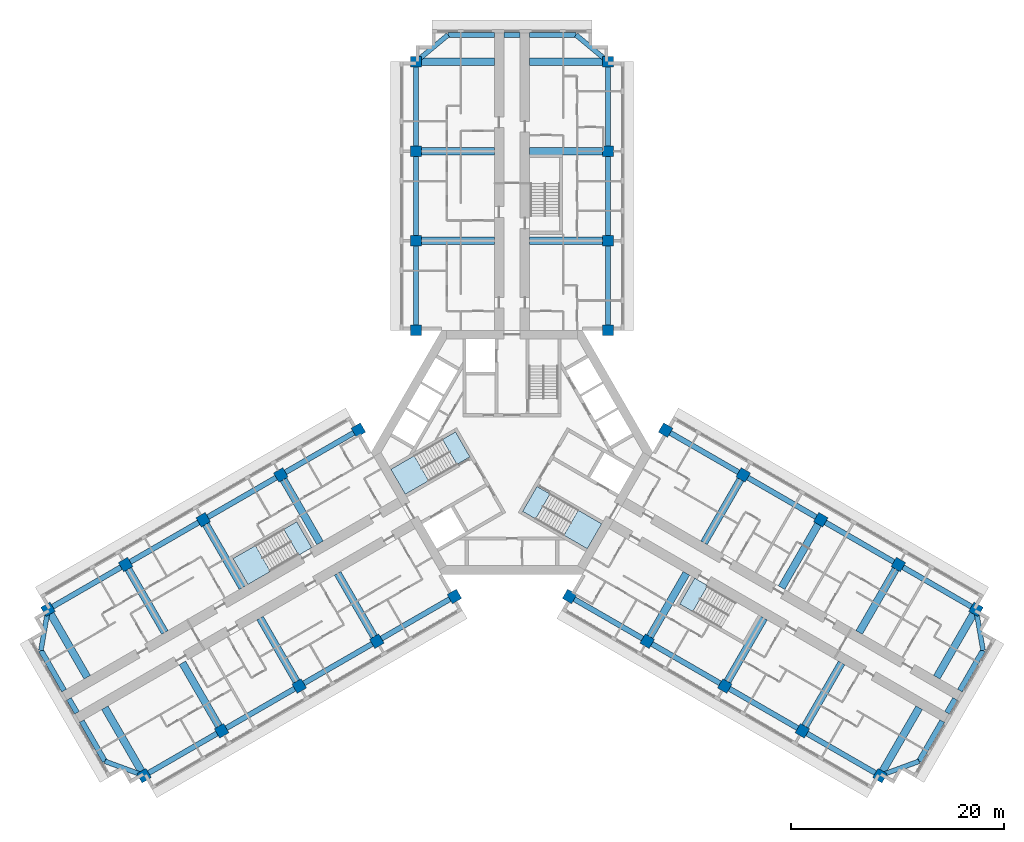
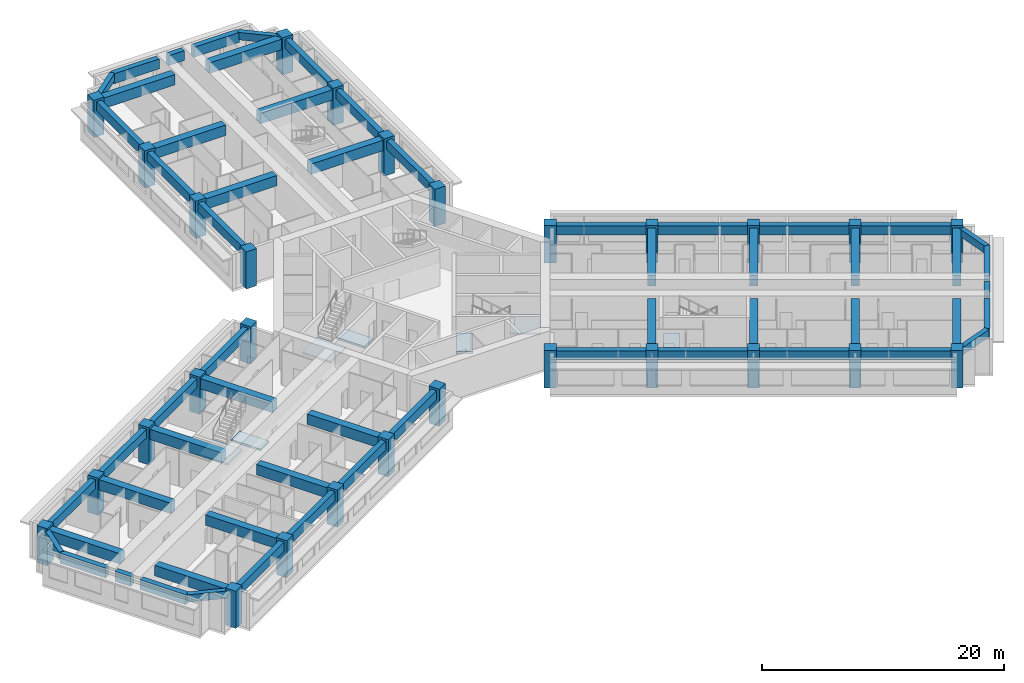
# One storey, part 1 of 14: 59 beams, 28 columns, 7 slabs, 4 elements without a shape of their own.
"""IFC4 building model written with IfcOpenShell, lengths in metres."""

from ifc_helpers import new_model, si_unit, direction, frame, origin, origin_2d, place, context, subcontext, project, spatial, polyline, rectangle, outline, extrude, material, layer, layer_set, material_profile, profile_set, type_object, element, aggregate, save


model = new_model("IFC4")

# Units and contexts
model_context = context("Model", 3, precision=1e-05, world=origin(), true_north=direction((0.0, 1.0)))
body_context = subcontext(model_context, "Body", "Model", "MODEL_VIEW")
ifc_project = project(units=[si_unit("LENGTHUNIT", "METRE"), si_unit("AREAUNIT", "SQUARE_METRE"), si_unit("VOLUMEUNIT", "CUBIC_METRE"), si_unit("PLANEANGLEUNIT", "RADIAN"), si_unit("MASSUNIT", "GRAM", prefix="KILO")], contexts=[model_context])

# Site, building, storey
site_placement = place(None, origin())
site = spatial("IfcSite", under=ifc_project, at=site_placement, CompositionType="ELEMENT")
building_placement = place(site_placement, origin())
building = spatial("IfcBuilding", under=site, at=building_placement, Name="Impinga Residences", CompositionType="ELEMENT")
storey_placement = place(building_placement, frame((0.0, 0.0, 121.0)))
storey = spatial("IfcBuildingStorey", under=building, at=storey_placement, Name="L29", CompositionType="ELEMENT", Elevation=121.0)

# Columns
ifc_material_1 = material(Name="Concrete C60/75", Category="concrete")
ifc_material_profile_1 = material_profile(ifc_material_1, rectangle(XDim=1.0, YDim=1.0, at=origin_2d()), Name="RC 1000x1000")
ifc_profile_set_1 = profile_set([ifc_material_profile_1], Name="Concrete C60/75")
column_type = type_object("IfcColumnType", Name="C3 1000x1000 column", PredefinedType="COLUMN", material=ifc_profile_set_1)
for number, where, z_axis, x_axis, name in (
    (1, (-9.0, 11.431640625, 0.0), (0.0, 0.0, 1.0), (1.0, 0.0, 0.0), "Column C3 N1/NA L29"),
    (2, (9.0, 11.431640625, 0.0), (0.0, 0.0, 1.0), (1.0, 0.0, 0.0), "Column C3 N1/NF L29"),
    (3, (-9.0, 19.83154296875, 0.0), (0.0, 0.0, 1.0), (1.0, 0.0, 0.0), "Column C3 N2/NA L29"),
    (4, (9.0, 19.83154296875, 0.0), (0.0, 0.0, 1.0), (1.0, 0.0, 0.0), "Column C3 N2/NF L29"),
    (5, (-9.0, 28.2314453125, 0.0), (0.0, 0.0, 1.0), (1.0, 0.0, 0.0), "Column C3 N3/NA L29"),
    (6, (9.0, 28.2314453125, 0.0), (0.0, 0.0, 1.0), (1.0, 0.0, 0.0), "Column C3 N3/NF L29"),
    (7, (-9.0, 36.631591796875, 0.0), (0.0, 0.0, 1.0), (1.0, 0.0, 0.0), "Column C3 N4/NA L29"),
    (8, (9.0, 36.631591796875, 0.0), (0.0, 0.0, 1.0), (1.0, 0.0, 0.0), "Column C3 N4/NF L29"),
    (9, (-5.39990234375, -13.510009765625, 0.0), (0.0, 0.0, 1.0), (-0.5, 0.866025403784, 0.0), "Column C3 W1/WA L29"),
    (10, (-14.39990234375, 2.078369140625, 0.0), (0.0, 0.0, 1.0), (-0.5, 0.866025403784, 0.0), "Column C3 W1/WF L29"),
    (11, (-12.674560546875, -17.7099609375, 0.0), (0.0, 0.0, 1.0), (-0.5, 0.866025403784, 0.0), "Column C3 W2/WA L29"),
    (12, (-21.674560546875, -2.12158203125, 0.0), (0.0, 0.0, 1.0), (-0.5, 0.866025403784, 0.0), "Column C3 W2/WF L29"),
    (13, (-19.94921875, -21.909912109375, 0.0), (0.0, 0.0, 1.0), (-0.5, 0.866025403784, 0.0), "Column C3 W3/WA L29"),
    (14, (-28.94921875, -6.321533203125, 0.0), (0.0, 0.0, 1.0), (-0.5, 0.866025403784, 0.0), "Column C3 W3/WF L29"),
    (15, (-27.223876953125, -26.110107421875, 0.0), (0.0, 0.0, 1.0), (-0.5, 0.866025403784, 0.0), "Column C3 W4/WA L29"),
    (16, (-36.223876953125, -10.521484375, 0.0), (0.0, 0.0, 1.0), (-0.5, 0.866025403784, 0.0), "Column C3 W4/WF L29"),
    (17, (-34.49853515625, -30.31005859375, 0.0), (0.0, 0.0, 1.0), (-0.5, 0.866025403784, 0.0), "Column C3 W5/WA L29"),
    (18, (-43.49853515625, -14.721435546875, 0.0), (0.0, 0.0, 1.0), (-0.5, 0.866025403784, 0.0), "Column C3 W5/WF L29"),
    (19, (14.39990234375, 2.078369140625, 0.0), (0.0, 0.0, 1.0), (-0.5, -0.866025403784, 0.0), "Column C3 E1/EA L29"),
    (20, (5.39990234375, -13.510009765625, 0.0), (0.0, 0.0, 1.0), (-0.5, -0.866025403784, 0.0), "Column C3 E1/EF L29"),
    (21, (21.674560546875, -2.12158203125, 0.0), (0.0, 0.0, 1.0), (-0.5, -0.866025403784, 0.0), "Column C3 E2/EA L29"),
    (22, (12.674560546875, -17.7099609375, 0.0), (0.0, 0.0, 1.0), (-0.5, -0.866025403784, 0.0), "Column C3 E2/EF L29"),
    (23, (28.94921875, -6.321533203125, 0.0), (0.0, 0.0, 1.0), (-0.5, -0.866025403784, 0.0), "Column C3 E3/EA L29"),
    (24, (19.94921875, -21.909912109375, 0.0), (0.0, 0.0, 1.0), (-0.5, -0.866025403784, 0.0), "Column C3 E3/EF L29"),
    (25, (36.223876953125, -10.521484375, 0.0), (0.0, 0.0, 1.0), (-0.5, -0.866025403784, 0.0), "Column C3 E4/EA L29"),
    (26, (27.223876953125, -26.110107421875, 0.0), (0.0, 0.0, 1.0), (-0.5, -0.866025403784, 0.0), "Column C3 E4/EF L29"),
    (27, (43.49853515625, -14.721435546875, 0.0), (0.0, 0.0, 1.0), (-0.5, -0.866025403784, 0.0), "Column C3 E5/EA L29"),
    (28, (34.49853515625, -30.31005859375, 0.0), (0.0, 0.0, 1.0), (-0.5, -0.866025403784, 0.0), "Column C3 E5/EF L29"),
):
    element("IfcColumn", number, at=place(storey_placement, frame(where, z_axis=z_axis, x_axis=x_axis)), inside=storey, type_object=column_type, Name=name, PredefinedType="COLUMN", context=body_context, shape_type="SweptSolid", body=[
        extrude(rectangle(XDim=1.0, YDim=1.0, at=origin_2d()), origin(), (0.0, 0.0, 1.0), 3.75),
    ])

# Beams
ifc_material_profile_2 = material_profile(ifc_material_1, rectangle(XDim=0.449951171875, YDim=0.75, at=origin_2d()), Name="RC 450x750")
ifc_profile_set_2 = profile_set([ifc_material_profile_2], Name="Concrete C60/75")
beam_type_1 = type_object("IfcBeamType", Name="CB1 450x750 wing end cantilever beam", PredefinedType="BEAM", material=ifc_profile_set_2)
for number, where, z_axis, x_axis, name in (
    (29, (-9.0, 36.631591796875, 3.155029296875), (0.768221279597, 0.640184399664, 0.0), (-0.640184399664, 0.768221279597, 0.0), "Beam CB1 NB N4-NX level L30"),
    (30, (9.0, 36.631591796875, 3.155029296875), (-0.768221279597, 0.640184399664, 0.0), (-0.640184399664, -0.768221279597, 0.0), "Beam CB1 NE N4-NX level L30"),
    (31, (-34.49853515625, -30.31005859375, 3.155029296875), (-0.938520178725, 0.345224382289, 0.0), (-0.345224382289, -0.938520178725, 0.0), "Beam CB1 WB W5-WX level L30"),
):
    element("IfcBeam", number, at=place(storey_placement, frame(where, z_axis=z_axis, x_axis=x_axis)), inside=storey, type_object=beam_type_1, Name=name, PredefinedType="BEAM", context=body_context, shape_type="SweptSolid", body=[
        extrude(rectangle(XDim=0.449951171875, YDim=0.75, at=origin_2d()), origin(), (0.0, 0.0, 1.0), 3.905029296875),
    ])
for number, where, z_axis, x_axis, name in (
    (32, (-43.49853515625, -14.721435546875, 3.155029296875), (-0.170296298948, -0.985392901621, 0.0), (0.985392901621, -0.170296298948, 0.0), "Beam CB1 WE W5-WX level L30"),
    (33, (43.49853515625, -14.721435546875, 3.155029296875), (0.170296298948, -0.985392901621, 0.0), (0.985392901621, 0.170296298948, 0.0), "Beam CB1 EB E5-EX level L30"),
):
    element("IfcBeam", number, at=place(storey_placement, frame(where, z_axis=z_axis, x_axis=x_axis)), inside=storey, type_object=beam_type_1, Name=name, PredefinedType="BEAM", context=body_context, shape_type="SweptSolid", body=[
        extrude(rectangle(XDim=0.449951171875, YDim=0.75, at=origin_2d()), origin(), (0.0, 0.0, 1.0), 3.9052734375),
    ])
beam_1_placement = place(storey_placement, frame((34.49853515625, -30.31005859375, 3.155029296875), z_axis=(0.938520178725, 0.345224382289, 0.0), x_axis=(-0.345224382289, 0.938520178725, 0.0)))
element("IfcBeam", 34, at=beam_1_placement, inside=storey, type_object=beam_type_1, Name="Beam CB1 EE E5-EX level L30", PredefinedType="BEAM", context=body_context, shape_type="SweptSolid", body=[
    extrude(rectangle(XDim=0.449951171875, YDim=0.75, at=origin_2d()), origin(), (0.0, 0.0, 1.0), 3.905029296875),
])
ifc_material_profile_3 = material_profile(ifc_material_1, rectangle(XDim=0.699951171875, YDim=1.050048828125, at=origin_2d()), Name="RC 700x1050")
ifc_profile_set_3 = profile_set([ifc_material_profile_3], Name="Concrete C60/75")
beam_type_2 = type_object("IfcBeamType", Name="CG1 700x1050 cross girder on a wing bay line", PredefinedType="BEAM", material=ifc_profile_set_3)
for number, where, z_axis, x_axis, name in (
    (35, (-1.64990234375, 19.83154296875, 3.0048828125), (-1.0, 0.0, 0.0), (0.0, -1.0, 0.0), "Beam CG1 N2 NC/NA level L30"),
    (36, (-1.64990234375, 28.2314453125, 3.0048828125), (-1.0, 0.0, 0.0), (0.0, -1.0, 0.0), "Beam CG1 N3 NC/NA level L30"),
    (37, (-1.64990234375, 36.631591796875, 3.0048828125), (-1.0, 0.0, 0.0), (0.0, -1.0, 0.0), "Beam CG1 N4 NC/NA level L30"),
    (38, (1.64990234375, 19.83154296875, 3.0048828125), (1.0, 0.0, 0.0), (0.0, 1.0, 0.0), "Beam CG1 N2 NC/NF level L30"),
    (39, (1.64990234375, 28.2314453125, 3.0048828125), (1.0, 0.0, 0.0), (0.0, 1.0, 0.0), "Beam CG1 N3 NC/NF level L30"),
    (40, (1.64990234375, 36.631591796875, 3.0048828125), (1.0, 0.0, 0.0), (0.0, 1.0, 0.0), "Beam CG1 N4 NC/NF level L30"),
    (41, (-16.349609375, -11.3447265625, 3.0048828125), (0.500008066151, -0.86602074674, 0.0), (0.86602074674, 0.500008066151, 0.0), "Beam CG1 W2 WC/WA level L30"),
    (42, (-23.624267578125, -15.544677734375, 3.0048828125), (0.500008066151, -0.86602074674, 0.0), (0.86602074674, 0.500008066151, 0.0), "Beam CG1 W3 WC/WA level L30"),
    (43, (-30.89892578125, -19.74462890625, 3.0048828125), (0.499993683172, -0.866029050776, 0.0), (0.866029050776, 0.499993683172, 0.0), "Beam CG1 W4 WC/WA level L30"),
):
    element("IfcBeam", number, at=place(storey_placement, frame(where, z_axis=z_axis, x_axis=x_axis)), inside=storey, type_object=beam_type_2, Name=name, PredefinedType="BEAM", context=body_context, shape_type="SweptSolid", body=[
        extrude(rectangle(XDim=0.699951171875, YDim=1.050048828125, at=origin_2d()), origin(), (0.0, 0.0, 1.0), 7.35009765625),
    ])
beam_2_placement = place(storey_placement, frame((-38.17333984375, -23.94482421875, 3.0048828125), z_axis=(0.499983153418, -0.866035129944, 0.0), x_axis=(0.866035129944, 0.499983153418, 0.0)))
element("IfcBeam", 44, at=beam_2_placement, inside=storey, type_object=beam_type_2, Name="Beam CG1 W5 WC/WA level L30", PredefinedType="BEAM", context=body_context, shape_type="SweptSolid", body=[
    extrude(rectangle(XDim=0.699951171875, YDim=1.050048828125, at=origin_2d()), origin(), (0.0, 0.0, 1.0), 7.349853515625),
])
for number, where, z_axis, x_axis, name in (
    (45, (-17.99951171875, -8.48681640625, 3.0048828125), (-0.500008066151, 0.86602074674, 0.0), (-0.86602074674, -0.500008066151, 0.0), "Beam CG1 W2 WC/WF level L30"),
    (46, (-25.274169921875, -12.686767578125, 3.0048828125), (-0.500008066151, 0.86602074674, 0.0), (-0.86602074674, -0.500008066151, 0.0), "Beam CG1 W3 WC/WF level L30"),
    (47, (-32.548828125, -16.88671875, 3.0048828125), (-0.500008066151, 0.86602074674, 0.0), (-0.86602074674, -0.500008066151, 0.0), "Beam CG1 W4 WC/WF level L30"),
    (48, (-39.823486328125, -21.0869140625, 3.0048828125), (-0.499993683172, 0.866029050776, 0.0), (-0.866029050776, -0.499993683172, 0.0), "Beam CG1 W5 WC/WF level L30"),
    (49, (17.99951171875, -8.48681640625, 3.0048828125), (0.500008066151, 0.86602074674, 0.0), (-0.86602074674, 0.500008066151, 0.0), "Beam CG1 E2 EC/EA level L30"),
    (50, (25.274169921875, -12.686767578125, 3.0048828125), (0.500008066151, 0.86602074674, 0.0), (-0.86602074674, 0.500008066151, 0.0), "Beam CG1 E3 EC/EA level L30"),
    (51, (32.548828125, -16.88671875, 3.0048828125), (0.500008066151, 0.86602074674, 0.0), (-0.86602074674, 0.500008066151, 0.0), "Beam CG1 E4 EC/EA level L30"),
    (52, (39.823486328125, -21.0869140625, 3.0048828125), (0.499993683172, 0.866029050776, 0.0), (-0.866029050776, 0.499993683172, 0.0), "Beam CG1 E5 EC/EA level L30"),
    (53, (16.349609375, -11.3447265625, 3.0048828125), (-0.500008066151, -0.86602074674, 0.0), (0.86602074674, -0.500008066151, 0.0), "Beam CG1 E2 EC/EF level L30"),
    (54, (23.624267578125, -15.544677734375, 3.0048828125), (-0.500008066151, -0.86602074674, 0.0), (0.86602074674, -0.500008066151, 0.0), "Beam CG1 E3 EC/EF level L30"),
    (55, (30.89892578125, -19.74462890625, 3.0048828125), (-0.499993683172, -0.866029050776, 0.0), (0.866029050776, -0.499993683172, 0.0), "Beam CG1 E4 EC/EF level L30"),
):
    element("IfcBeam", number, at=place(storey_placement, frame(where, z_axis=z_axis, x_axis=x_axis)), inside=storey, type_object=beam_type_2, Name=name, PredefinedType="BEAM", context=body_context, shape_type="SweptSolid", body=[
        extrude(rectangle(XDim=0.699951171875, YDim=1.050048828125, at=origin_2d()), origin(), (0.0, 0.0, 1.0), 7.35009765625),
    ])
beam_3_placement = place(storey_placement, frame((38.17333984375, -23.94482421875, 3.0048828125), z_axis=(-0.499983153418, -0.866035129944, 0.0), x_axis=(0.866035129944, -0.499983153418, 0.0)))
element("IfcBeam", 56, at=beam_3_placement, inside=storey, type_object=beam_type_2, Name="Beam CG1 E5 EC/EF level L30", PredefinedType="BEAM", context=body_context, shape_type="SweptSolid", body=[
    extrude(rectangle(XDim=0.699951171875, YDim=1.050048828125, at=origin_2d()), origin(), (0.0, 0.0, 1.0), 7.349853515625),
])
ifc_material_profile_4 = material_profile(ifc_material_1, rectangle(XDim=0.5, YDim=1.0, at=origin_2d()), Name="RC 500x1000")
ifc_profile_set_4 = profile_set([ifc_material_profile_4], Name="Concrete C60/75")
beam_type_3 = type_object("IfcBeamType", Name="EB1 500x1000 wing end beam", PredefinedType="BEAM", material=ifc_profile_set_4)
beam_4_placement = place(storey_placement, frame((-6.0, 39.131591796875, 3.030029296875), z_axis=(1.0, 0.0, 0.0), x_axis=(0.0, 1.0, 0.0)))
element("IfcBeam", 57, at=beam_4_placement, inside=storey, type_object=beam_type_3, Name="Beam EB1 NX3 level L30", PredefinedType="BEAM", context=body_context, shape_type="SweptSolid", body=[
    extrude(rectangle(XDim=0.5, YDim=1.0, at=origin_2d()), origin(), (0.0, 0.0, 1.0), 4.35009765625),
])
beam_5_placement = place(storey_placement, frame((-0.75, 39.131591796875, 3.030029296875), z_axis=(1.0, 0.0, 0.0), x_axis=(0.0, 1.0, 0.0)))
element("IfcBeam", 58, at=beam_5_placement, inside=storey, type_object=beam_type_3, Name="Beam EB1 NX3 level L30", PredefinedType="BEAM", context=body_context, shape_type="SweptSolid", body=[
    extrude(rectangle(XDim=0.5, YDim=1.0, at=origin_2d()), origin(), (0.0, 0.0, 1.0), 1.5),
])
beam_6_placement = place(storey_placement, frame((1.64990234375, 39.131591796875, 3.030029296875), z_axis=(1.0, 0.0, 0.0), x_axis=(0.0, 1.0, 0.0)))
element("IfcBeam", 59, at=beam_6_placement, inside=storey, type_object=beam_type_3, Name="Beam EB1 NX3 level L30", PredefinedType="BEAM", context=body_context, shape_type="SweptSolid", body=[
    extrude(rectangle(XDim=0.5, YDim=1.0, at=origin_2d()), origin(), (0.0, 0.0, 1.0), 4.35009765625),
])
beam_7_placement = place(storey_placement, frame((-38.16357421875, -28.9619140625, 3.030029296875), z_axis=(-0.500020430026, 0.866013608182, 0.0), x_axis=(-0.866013608182, -0.500020430026, 0.0)))
element("IfcBeam", 60, at=beam_7_placement, inside=storey, type_object=beam_type_3, Name="Beam EB1 WX4 level L30", PredefinedType="BEAM", context=body_context, shape_type="SweptSolid", body=[
    extrude(rectangle(XDim=0.5, YDim=1.0, at=origin_2d()), origin(), (0.0, 0.0, 1.0), 4.349853515625),
])
beam_8_placement = place(storey_placement, frame((-40.78857421875, -24.415283203125, 3.030029296875), z_axis=(-0.499990139034, 0.866031096941, 0.0), x_axis=(-0.866031096941, -0.499990139034, 0.0)))
element("IfcBeam", 61, at=beam_8_placement, inside=storey, type_object=beam_type_3, Name="Beam EB1 WX4 level L30", PredefinedType="BEAM", context=body_context, shape_type="SweptSolid", body=[
    extrude(rectangle(XDim=0.5, YDim=1.0, at=origin_2d()), origin(), (0.0, 0.0, 1.0), 1.5),
])
for number, where, z_axis, x_axis, name in (
    (62, (-41.988525390625, -22.3369140625, 3.030029296875), (-0.499996127374, 0.866027639635, 0.0), (-0.866027639635, -0.499996127374, 0.0), "Beam EB1 WX4 level L30"),
    (63, (44.16357421875, -18.569580078125, 3.030029296875), (-0.499996127374, -0.866027639635, 0.0), (0.866027639635, -0.499996127374, 0.0), "Beam EB1 EX4 level L30"),
):
    element("IfcBeam", number, at=place(storey_placement, frame(where, z_axis=z_axis, x_axis=x_axis)), inside=storey, type_object=beam_type_3, Name=name, PredefinedType="BEAM", context=body_context, shape_type="SweptSolid", body=[
        extrude(rectangle(XDim=0.5, YDim=1.0, at=origin_2d()), origin(), (0.0, 0.0, 1.0), 4.35009765625),
    ])
beam_9_placement = place(storey_placement, frame((41.53857421875, -23.1162109375, 3.030029296875), z_axis=(-0.499990139034, -0.866031096941, 0.0), x_axis=(0.866031096941, -0.499990139034, 0.0)))
element("IfcBeam", 64, at=beam_9_placement, inside=storey, type_object=beam_type_3, Name="Beam EB1 EX4 level L30", PredefinedType="BEAM", context=body_context, shape_type="SweptSolid", body=[
    extrude(rectangle(XDim=0.5, YDim=1.0, at=origin_2d()), origin(), (0.0, 0.0, 1.0), 1.5),
])
beam_10_placement = place(storey_placement, frame((40.338623046875, -25.19482421875, 3.030029296875), z_axis=(-0.500020430026, -0.866013608182, 0.0), x_axis=(0.866013608182, -0.500020430026, 0.0)))
element("IfcBeam", 65, at=beam_10_placement, inside=storey, type_object=beam_type_3, Name="Beam EB1 EX4 level L30", PredefinedType="BEAM", context=body_context, shape_type="SweptSolid", body=[
    extrude(rectangle(XDim=0.5, YDim=1.0, at=origin_2d()), origin(), (0.0, 0.0, 1.0), 4.349853515625),
])
ifc_material_profile_5 = material_profile(ifc_material_1, rectangle(XDim=0.5, YDim=0.89990234375, at=origin_2d()), Name="RC 500x900")
ifc_profile_set_5 = profile_set([ifc_material_profile_5], Name="Concrete C60/75")
beam_type_4 = type_object("IfcBeamType", Name="SB1 500x900 perimeter spandrel beam", PredefinedType="SPANDREL", material=ifc_profile_set_5)
for number, where, z_axis, x_axis, name in (
    (66, (-9.0, 11.431640625, 3.080078125), (0.0, 1.0, 0.0), (-1.0, 0.0, 0.0), "Beam SB1 NA N1-N2 level L30"),
    (67, (-9.0, 19.83154296875, 3.080078125), (0.0, 1.0, 0.0), (-1.0, 0.0, 0.0), "Beam SB1 NA N2-N3 level L30"),
):
    element("IfcBeam", number, at=place(storey_placement, frame(where, z_axis=z_axis, x_axis=x_axis)), inside=storey, type_object=beam_type_4, Name=name, PredefinedType="SPANDREL", context=body_context, shape_type="SweptSolid", body=[
        extrude(rectangle(XDim=0.5, YDim=0.89990234375, at=origin_2d()), origin(), (0.0, 0.0, 1.0), 8.39990234375),
    ])
beam_11_placement = place(storey_placement, frame((-9.0, 28.2314453125, 3.080078125), z_axis=(0.0, 1.0, 0.0), x_axis=(-1.0, 0.0, 0.0)))
element("IfcBeam", 68, at=beam_11_placement, inside=storey, type_object=beam_type_4, Name="Beam SB1 NA N3-N4 level L30", PredefinedType="SPANDREL", context=body_context, shape_type="SweptSolid", body=[
    extrude(rectangle(XDim=0.5, YDim=0.89990234375, at=origin_2d()), origin(), (0.0, 0.0, 1.0), 8.400146484375),
])
for number, where, z_axis, x_axis, name in (
    (69, (9.0, 11.431640625, 3.080078125), (0.0, 1.0, 0.0), (-1.0, 0.0, 0.0), "Beam SB1 NF N1-N2 level L30"),
    (70, (9.0, 19.83154296875, 3.080078125), (0.0, 1.0, 0.0), (-1.0, 0.0, 0.0), "Beam SB1 NF N2-N3 level L30"),
):
    element("IfcBeam", number, at=place(storey_placement, frame(where, z_axis=z_axis, x_axis=x_axis)), inside=storey, type_object=beam_type_4, Name=name, PredefinedType="SPANDREL", context=body_context, shape_type="SweptSolid", body=[
        extrude(rectangle(XDim=0.5, YDim=0.89990234375, at=origin_2d()), origin(), (0.0, 0.0, 1.0), 8.39990234375),
    ])
beam_12_placement = place(storey_placement, frame((9.0, 28.2314453125, 3.080078125), z_axis=(0.0, 1.0, 0.0), x_axis=(-1.0, 0.0, 0.0)))
element("IfcBeam", 71, at=beam_12_placement, inside=storey, type_object=beam_type_4, Name="Beam SB1 NF N3-N4 level L30", PredefinedType="SPANDREL", context=body_context, shape_type="SweptSolid", body=[
    extrude(rectangle(XDim=0.5, YDim=0.89990234375, at=origin_2d()), origin(), (0.0, 0.0, 1.0), 8.400146484375),
])
for number, where, z_axis, x_axis, name in (
    (72, (-5.39990234375, -13.510009765625, 3.080078125), (-0.86602925447, -0.499993330357, 0.0), (0.499993330357, -0.86602925447, 0.0), "Beam SB1 WA W1-W2 level L30"),
    (73, (-12.674560546875, -17.7099609375, 3.080078125), (-0.86602925447, -0.499993330357, 0.0), (0.499993330357, -0.86602925447, 0.0), "Beam SB1 WA W2-W3 level L30"),
):
    element("IfcBeam", number, at=place(storey_placement, frame(where, z_axis=z_axis, x_axis=x_axis)), inside=storey, type_object=beam_type_4, Name=name, PredefinedType="SPANDREL", context=body_context, shape_type="SweptSolid", body=[
        extrude(rectangle(XDim=0.5, YDim=0.89990234375, at=origin_2d()), origin(), (0.0, 0.0, 1.0), 8.39990234375),
    ])
beam_13_placement = place(storey_placement, frame((-19.94921875, -21.909912109375, 3.080078125), z_axis=(-0.866016669275, -0.500015128309, 0.0), x_axis=(0.500015128309, -0.866016669275, 0.0)))
element("IfcBeam", 74, at=beam_13_placement, inside=storey, type_object=beam_type_4, Name="Beam SB1 WA W3-W4 level L30", PredefinedType="SPANDREL", context=body_context, shape_type="SweptSolid", body=[
    extrude(rectangle(XDim=0.5, YDim=0.89990234375, at=origin_2d()), origin(), (0.0, 0.0, 1.0), 8.400146484375),
])
for number, where, z_axis, x_axis, name in (
    (75, (-27.223876953125, -26.110107421875, 3.080078125), (-0.86602925447, -0.499993330357, 0.0), (0.499993330357, -0.86602925447, 0.0), "Beam SB1 WA W4-W5 level L30"),
    (76, (-14.39990234375, 2.078369140625, 3.080078125), (-0.86602925447, -0.499993330357, 0.0), (0.499993330357, -0.86602925447, 0.0), "Beam SB1 WF W1-W2 level L30"),
    (77, (-21.674560546875, -2.12158203125, 3.080078125), (-0.86602925447, -0.499993330357, 0.0), (0.499993330357, -0.86602925447, 0.0), "Beam SB1 WF W2-W3 level L30"),
    (78, (-28.94921875, -6.321533203125, 3.080078125), (-0.86602925447, -0.499993330357, 0.0), (0.499993330357, -0.86602925447, 0.0), "Beam SB1 WF W3-W4 level L30"),
    (79, (-36.223876953125, -10.521484375, 3.080078125), (-0.86602925447, -0.499993330357, 0.0), (0.499993330357, -0.86602925447, 0.0), "Beam SB1 WF W4-W5 level L30"),
    (80, (14.39990234375, 2.078369140625, 3.080078125), (0.86602925447, -0.499993330357, 0.0), (0.499993330357, 0.86602925447, 0.0), "Beam SB1 EA E1-E2 level L30"),
    (81, (21.674560546875, -2.12158203125, 3.080078125), (0.86602925447, -0.499993330357, 0.0), (0.499993330357, 0.86602925447, 0.0), "Beam SB1 EA E2-E3 level L30"),
    (82, (28.94921875, -6.321533203125, 3.080078125), (0.86602925447, -0.499993330357, 0.0), (0.499993330357, 0.86602925447, 0.0), "Beam SB1 EA E3-E4 level L30"),
    (83, (36.223876953125, -10.521484375, 3.080078125), (0.86602925447, -0.499993330357, 0.0), (0.499993330357, 0.86602925447, 0.0), "Beam SB1 EA E4-E5 level L30"),
    (84, (5.39990234375, -13.510009765625, 3.080078125), (0.86602925447, -0.499993330357, 0.0), (0.499993330357, 0.86602925447, 0.0), "Beam SB1 EF E1-E2 level L30"),
    (85, (12.674560546875, -17.7099609375, 3.080078125), (0.86602925447, -0.499993330357, 0.0), (0.499993330357, 0.86602925447, 0.0), "Beam SB1 EF E2-E3 level L30"),
):
    element("IfcBeam", number, at=place(storey_placement, frame(where, z_axis=z_axis, x_axis=x_axis)), inside=storey, type_object=beam_type_4, Name=name, PredefinedType="SPANDREL", context=body_context, shape_type="SweptSolid", body=[
        extrude(rectangle(XDim=0.5, YDim=0.89990234375, at=origin_2d()), origin(), (0.0, 0.0, 1.0), 8.39990234375),
    ])
beam_14_placement = place(storey_placement, frame((19.94921875, -21.909912109375, 3.080078125), z_axis=(0.866016669275, -0.500015128309, 0.0), x_axis=(0.500015128309, 0.866016669275, 0.0)))
element("IfcBeam", 86, at=beam_14_placement, inside=storey, type_object=beam_type_4, Name="Beam SB1 EF E3-E4 level L30", PredefinedType="SPANDREL", context=body_context, shape_type="SweptSolid", body=[
    extrude(rectangle(XDim=0.5, YDim=0.89990234375, at=origin_2d()), origin(), (0.0, 0.0, 1.0), 8.400146484375),
])
beam_15_placement = place(storey_placement, frame((27.223876953125, -26.110107421875, 3.080078125), z_axis=(0.86602925447, -0.499993330357, 0.0), x_axis=(0.499993330357, 0.86602925447, 0.0)))
element("IfcBeam", 87, at=beam_15_placement, inside=storey, type_object=beam_type_4, Name="Beam SB1 EF E4-E5 level L30", PredefinedType="SPANDREL", context=body_context, shape_type="SweptSolid", body=[
    extrude(rectangle(XDim=0.5, YDim=0.89990234375, at=origin_2d()), origin(), (0.0, 0.0, 1.0), 8.39990234375),
])

# Stair, slabs
ifc_material_2 = material(Name="Concrete C40/50", Category="concrete")
stair_type_1 = type_object("IfcStairType", Name="STR core stair 3750 storey, 24 risers", PredefinedType="HALF_TURN_STAIR", material=ifc_material_2)
stair_1_placement = place(storey_placement, origin())
stair_1 = element("IfcStair", 88, at=stair_1_placement, inside=storey, type_object=stair_type_1, Name="Stair ST2 L29", PredefinedType="HALF_TURN_STAIR")
ifc_layer = layer(ifc_material_2, 0.199951171875)
ifc_layer_set = layer_set([ifc_layer], Name="Concrete C40/50")
slab_type = type_object("IfcSlabType", Name="LS1 stair landing 200", PredefinedType="LANDING", material=ifc_layer_set)
slab_1_placement = place(storey_placement, frame((0.0, 0.0, -0.199951171875)))
slab_1 = element("IfcSlab", 89, at=slab_1_placement, type_object=slab_type, Name="ST2 landing 1", PredefinedType="LANDING", context=body_context, shape_type="SweptSolid", body=[
    extrude(outline(polyline([(-3.943603515625, -0.429443359375), (-5.293701171875, 1.908935546875), (-6.5146484375, 1.203857421875), (-5.164794921875, -1.13427734375), (-3.943603515625, -0.429443359375)])), origin(), (0.0, 0.0, 1.0), 0.199951171875),
])
slab_2_placement = place(storey_placement, frame((0.0, 0.0, 1.675048828125)))
slab_2 = element("IfcSlab", 90, at=slab_2_placement, type_object=slab_type, Name="ST2 landing 2", PredefinedType="LANDING", context=body_context, shape_type="SweptSolid", body=[
    extrude(outline(polyline([(-7.814697265625, -2.664306640625), (-9.164794921875, -0.326171875), (-11.357177734375, -1.591796875), (-10.007080078125, -3.93017578125), (-7.814697265625, -2.664306640625)])), origin(), (0.0, 0.0, 1.0), 0.199951171875),
])
aggregate(stair_1, [slab_1, slab_2])

stair_2_placement = place(storey_placement, origin())
stair_2 = element("IfcStair", 91, at=stair_2_placement, inside=storey, type_object=stair_type_1, Name="Stair ST3 L29", PredefinedType="HALF_TURN_STAIR")
slab_3_placement = place(storey_placement, frame((0.0, 0.0, -0.199951171875)))
slab_3 = element("IfcSlab", 92, at=slab_3_placement, type_object=slab_type, Name="ST3 landing 1", PredefinedType="LANDING", context=body_context, shape_type="SweptSolid", body=[
    extrude(outline(polyline([(2.34375, -3.20068359375), (0.99365234375, -5.538818359375), (2.21484375, -6.243896484375), (3.564697265625, -3.90576171875), (2.34375, -3.20068359375)])), origin(), (0.0, 0.0, 1.0), 0.199951171875),
])
slab_4_placement = place(storey_placement, frame((0.0, 0.0, 1.675048828125)))
slab_4 = element("IfcSlab", 93, at=slab_4_placement, type_object=slab_type, Name="ST3 landing 2", PredefinedType="LANDING", context=body_context, shape_type="SweptSolid", body=[
    extrude(outline(polyline([(6.21484375, -5.435546875), (4.86474609375, -7.77392578125), (7.05712890625, -9.039794921875), (8.4072265625, -6.701416015625), (6.21484375, -5.435546875)])), origin(), (0.0, 0.0, 1.0), 0.199951171875),
])
aggregate(stair_2, [slab_3, slab_4])

stair_type_2 = type_object("IfcStairType", Name="STR wing stair 3750 storey, 24 risers", PredefinedType="HALF_TURN_STAIR", material=ifc_material_2)
stair_3_placement = place(storey_placement, origin())
stair_3 = element("IfcStair", 94, at=stair_3_placement, inside=storey, type_object=stair_type_2, Name="Stair WS2 L29", PredefinedType="HALF_TURN_STAIR")
slab_5_placement = place(storey_placement, frame((0.0, 0.0, -0.199951171875)))
slab_5 = element("IfcSlab", 95, at=slab_5_placement, type_object=slab_type, Name="WS2 landing 1", PredefinedType="LANDING", context=body_context, shape_type="SweptSolid", body=[
    extrude(outline(polyline([(-18.779052734375, -8.936767578125), (-20.178955078125, -6.511962890625), (-21.400146484375, -7.217041015625), (-20.000244140625, -9.641845703125), (-18.779052734375, -8.936767578125)])), origin(), (0.0, 0.0, 1.0), 0.199951171875),
])
slab_6_placement = place(storey_placement, frame((0.0, 0.0, 1.675048828125)))
slab_6 = element("IfcSlab", 96, at=slab_6_placement, type_object=slab_type, Name="WS2 landing 2", PredefinedType="LANDING", context=body_context, shape_type="SweptSolid", body=[
    extrude(outline(polyline([(-22.650146484375, -11.171875), (-24.050048828125, -8.7470703125), (-26.154541015625, -9.9619140625), (-24.754638671875, -12.38671875), (-22.650146484375, -11.171875)])), origin(), (0.0, 0.0, 1.0), 0.199951171875),
])
aggregate(stair_3, [slab_5, slab_6])

# Stair, slab
stair_4_placement = place(storey_placement, origin())
stair_4 = element("IfcStair", 97, at=stair_4_placement, inside=storey, type_object=stair_type_2, Name="Stair WS3 L29", PredefinedType="HALF_TURN_STAIR")
slab_7_placement = place(storey_placement, frame((0.0, 0.0, -0.199951171875)))
slab_7 = element("IfcSlab", 98, at=slab_7_placement, type_object=slab_type, Name="WS3 landing 1", PredefinedType="LANDING", context=body_context, shape_type="SweptSolid", body=[
    extrude(outline(polyline([(17.129150390625, -11.794677734375), (15.72900390625, -14.219482421875), (16.9501953125, -14.924560546875), (18.35009765625, -12.499755859375), (17.129150390625, -11.794677734375)])), origin(), (0.0, 0.0, 1.0), 0.199951171875),
])
aggregate(stair_4, [slab_7])

save(model, "model.ifc")
